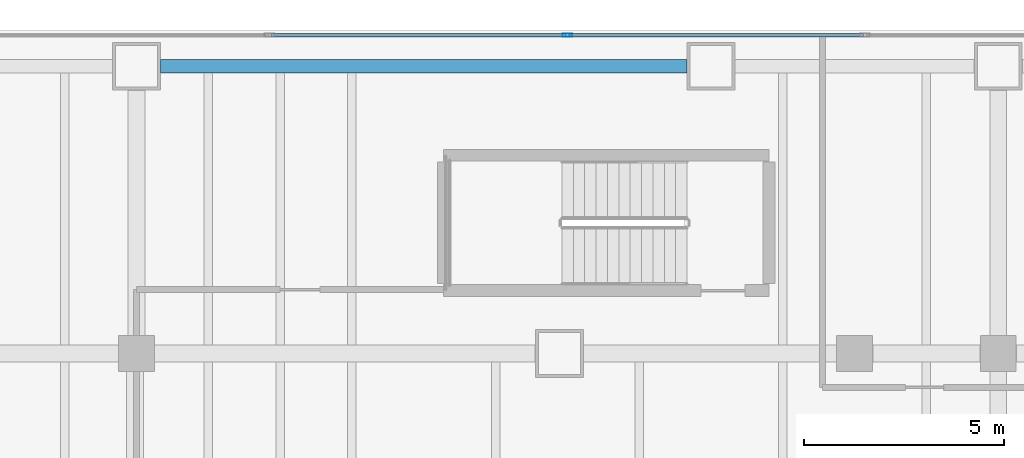
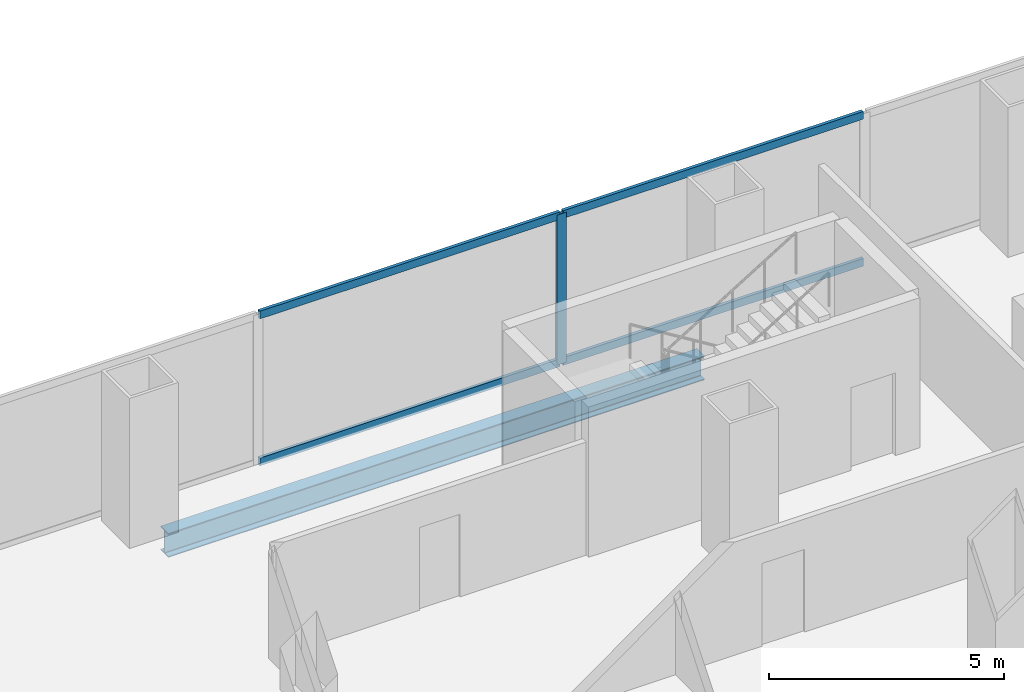
# One storey, part 12 of 31: 5 members, 1 beam, 1 element without a shape of its own.
"""IFC4 building model written with IfcOpenShell, lengths in metres."""

from ifc_helpers import new_model, si_unit, direction, frame, origin, origin_2d, place, context, subcontext, project, spatial, hollow_rectangle, i_section, extrude, material, material_profile, profile_set, type_object, element, aggregate, save


model = new_model("IFC4")

# Units and contexts
model_context = context("Model", 3, precision=1e-05, world=origin(), true_north=direction((0.0, 1.0)))
body_context = subcontext(model_context, "Body", "Model", "MODEL_VIEW")
ifc_project = project(units=[si_unit("LENGTHUNIT", "METRE"), si_unit("AREAUNIT", "SQUARE_METRE"), si_unit("VOLUMEUNIT", "CUBIC_METRE"), si_unit("PLANEANGLEUNIT", "RADIAN"), si_unit("MASSUNIT", "GRAM", prefix="KILO")], contexts=[model_context])

# Site, building, storey
site_placement = place(None, origin())
site = spatial("IfcSite", under=ifc_project, at=site_placement, CompositionType="ELEMENT")
building_placement = place(site_placement, origin())
building = spatial("IfcBuilding", under=site, at=building_placement, Name="Cobrela Telecom Tower", CompositionType="ELEMENT")
storey_placement = place(building_placement, frame((0.0, 0.0, 9.449951171875)))
storey = spatial("IfcBuildingStorey", under=building, at=storey_placement, Name="L02", CompositionType="ELEMENT", Elevation=9.449951171875)

# Beam
ifc_material_1 = material(Name="Steel ASTM A992 Grade 50", Category="steel")
ifc_material_profile_1 = material_profile(ifc_material_1, i_section(OverallWidth=0.327880859375, OverallDepth=0.6220703125, WebThickness=0.015380859375, FlangeThickness=0.0244140625, FilletRadius=0.014892578125, at=origin_2d()), Name="W24X131")
ifc_profile_set_1 = profile_set([ifc_material_profile_1], Name="Steel ASTM A992 Grade 50")
beam_type = type_object("IfcBeamType", Name="BM-SPAND-01", PredefinedType="SPANDREL", material=ifc_profile_set_1)
beam_placement = place(storey_placement, frame((15.0048828125, 49.5, -0.61083984375), z_axis=(1.0, 0.0, 0.0), x_axis=(0.0, 1.0, 0.0)))
element("IfcBeam", 1, at=beam_placement, inside=storey, type_object=beam_type, Name="L02 Perimeter Spandrel X53", PredefinedType="SPANDREL", context=body_context, shape_type="SweptSolid", body=[
    extrude(i_section(OverallWidth=0.327880859375, OverallDepth=0.6220703125, WebThickness=0.015380859375, FlangeThickness=0.0244140625, FilletRadius=0.014892578125, at=origin_2d()), origin(), (0.0, 0.0, 1.0), 13.190185546875),
])

# Curtain wall, members
ifc_material_2 = material(Name="Anodized Bronze Aluminium 6063-T6", Category="aluminium")
curtain_wall_type = type_object("IfcCurtainWallType", Name="CW-SYS-CONC", PredefinedType="USERDEFINED", material=ifc_material_2)
curtain_wall_placement = place(storey_placement, origin())
curtain_wall = element("IfcCurtainWall", 2, at=curtain_wall_placement, inside=storey, type_object=curtain_wall_type, Name="L02 Unitised Bronze Curtain Wall 07", ObjectType="UNITISED CURTAIN WALL", PredefinedType="USERDEFINED")
ifc_material_profile_2 = material_profile(ifc_material_2, hollow_rectangle(XDim=0.080078125, YDim=0.239990234375, WallThickness=0.0048828125, at=origin_2d()), Name="ALU 80x240x5")
ifc_profile_set_2 = profile_set([ifc_material_profile_2], Name="Anodized Bronze Aluminium 6063-T6")
member_type_1 = type_object("IfcMemberType", Name="CW-SYS-CONC-MUL", PredefinedType="MULLION", material=ifc_profile_set_2)
member_1_placement = place(storey_placement, frame((25.199951171875, 50.280029296875, 0.0), z_axis=(0.0, 0.0, 1.0), x_axis=(0.0, 1.0, 0.0)))
member_1 = element("IfcMember", 3, at=member_1_placement, type_object=member_type_1, Name="CW-CONC mullion 4", PredefinedType="MULLION", context=body_context, shape_type="SweptSolid", body=[
    extrude(hollow_rectangle(XDim=0.080078125, YDim=0.239990234375, WallThickness=0.0048828125, at=origin_2d()), origin(), (0.0, 0.0, 1.0), 3.900146484375),
])
ifc_material_profile_3 = material_profile(ifc_material_2, hollow_rectangle(XDim=0.080078125, YDim=0.199951171875, WallThickness=0.00390625, at=origin_2d()), Name="ALU 80x200x4")
ifc_profile_set_3 = profile_set([ifc_material_profile_3], Name="Anodized Bronze Aluminium 6063-T6")
member_type_2 = type_object("IfcMemberType", Name="CW-SYS-CONC-TRN", PredefinedType="USERDEFINED", material=ifc_profile_set_3)
member_2_placement = place(storey_placement, frame((17.780029296875, 50.280029296875, 0.0400390625), z_axis=(1.0, 0.0, 0.0), x_axis=(0.0, 1.0, 0.0)))
member_2 = element("IfcMember", 4, at=member_2_placement, type_object=member_type_2, Name="CW-CONC transom 3.1", ObjectType="TRANSOM", PredefinedType="USERDEFINED", context=body_context, shape_type="SweptSolid", body=[
    extrude(hollow_rectangle(XDim=0.080078125, YDim=0.199951171875, WallThickness=0.00390625, at=origin_2d()), origin(), (0.0, 0.0, 1.0), 7.3798828125),
])
member_3_placement = place(storey_placement, frame((17.780029296875, 50.280029296875, 3.860107421875), z_axis=(1.0, 0.0, 0.0), x_axis=(0.0, 1.0, 0.0)))
member_3 = element("IfcMember", 5, at=member_3_placement, type_object=member_type_2, Name="CW-CONC transom 3.2", ObjectType="TRANSOM", PredefinedType="USERDEFINED", context=body_context, shape_type="SweptSolid", body=[
    extrude(hollow_rectangle(XDim=0.080078125, YDim=0.199951171875, WallThickness=0.00390625, at=origin_2d()), origin(), (0.0, 0.0, 1.0), 7.3798828125),
])
member_4_placement = place(storey_placement, frame((25.239990234375, 50.280029296875, 0.0400390625), z_axis=(1.0, 0.0, 0.0), x_axis=(0.0, 1.0, 0.0)))
member_4 = element("IfcMember", 6, at=member_4_placement, type_object=member_type_2, Name="CW-CONC transom 4.1", ObjectType="TRANSOM", PredefinedType="USERDEFINED", context=body_context, shape_type="SweptSolid", body=[
    extrude(hollow_rectangle(XDim=0.080078125, YDim=0.199951171875, WallThickness=0.00390625, at=origin_2d()), origin(), (0.0, 0.0, 1.0), 7.380126953125),
])
member_5_placement = place(storey_placement, frame((25.239990234375, 50.280029296875, 3.860107421875), z_axis=(1.0, 0.0, 0.0), x_axis=(0.0, 1.0, 0.0)))
member_5 = element("IfcMember", 7, at=member_5_placement, type_object=member_type_2, Name="CW-CONC transom 4.2", ObjectType="TRANSOM", PredefinedType="USERDEFINED", context=body_context, shape_type="SweptSolid", body=[
    extrude(hollow_rectangle(XDim=0.080078125, YDim=0.199951171875, WallThickness=0.00390625, at=origin_2d()), origin(), (0.0, 0.0, 1.0), 7.380126953125),
])
aggregate(curtain_wall, [member_1, member_2, member_3, member_4, member_5])

save(model, "model.ifc")
